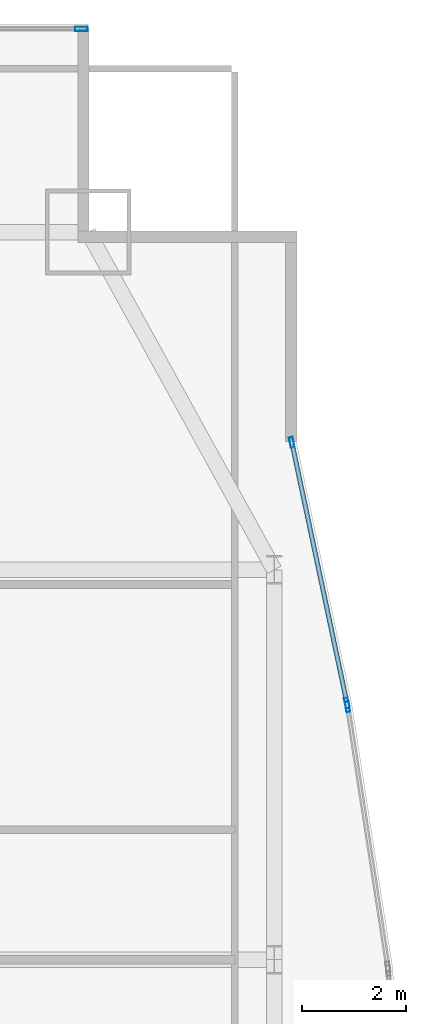
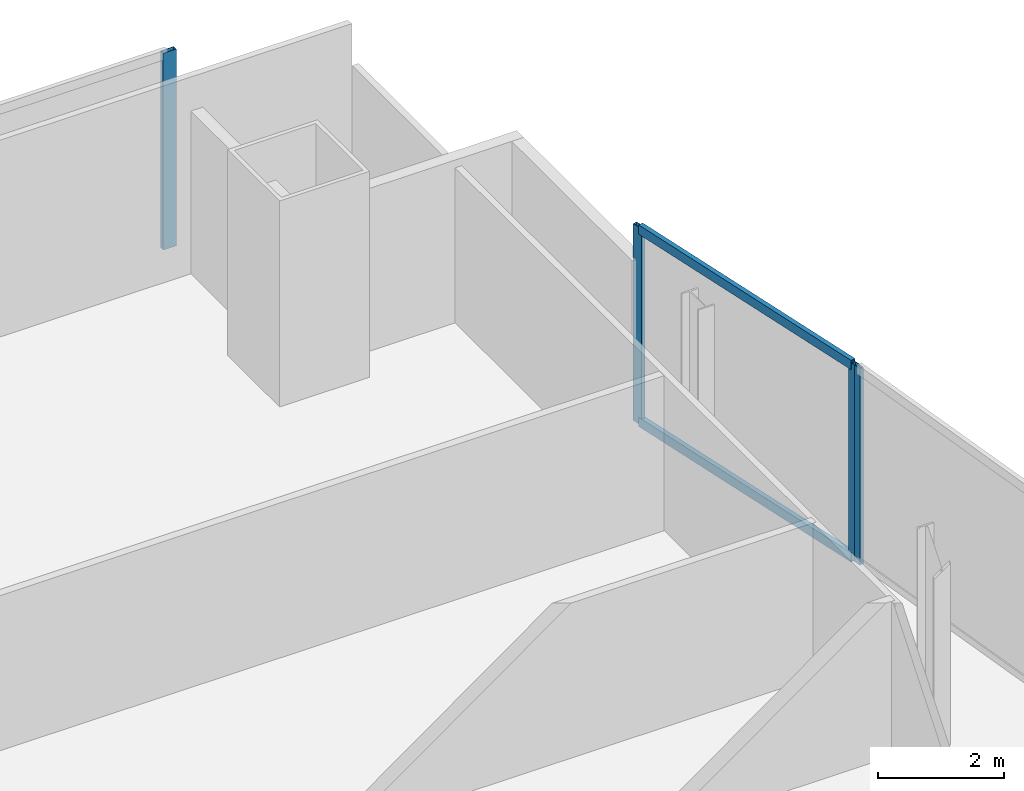
# One storey, part 26 of 35: 6 members, 3 elements without a shape of their own.
"""IFC4 building model written with IfcOpenShell, lengths in metres."""

from ifc_helpers import new_model, si_unit, direction, frame, origin, origin_2d, place, context, subcontext, project, spatial, hollow_rectangle, extrude, material, material_profile, profile_set, type_object, element, aggregate, save


model = new_model("IFC4")

# Units and contexts
model_context = context("Model", 3, precision=1e-05, world=origin(), true_north=direction((0.0, 1.0)))
body_context = subcontext(model_context, "Body", "Model", "MODEL_VIEW")
ifc_project = project(units=[si_unit("LENGTHUNIT", "METRE"), si_unit("AREAUNIT", "SQUARE_METRE"), si_unit("VOLUMEUNIT", "CUBIC_METRE"), si_unit("PLANEANGLEUNIT", "RADIAN"), si_unit("MASSUNIT", "GRAM", prefix="KILO")], contexts=[model_context])

# Site, building, storey
site_placement = place(None, origin())
site = spatial("IfcSite", under=ifc_project, at=site_placement, CompositionType="ELEMENT")
building_placement = place(site_placement, origin())
building = spatial("IfcBuilding", under=site, at=building_placement, Name="Khoronbel Lancet Exchange", CompositionType="ELEMENT")
storey_placement = place(building_placement, frame((0.0, 0.0, 53.800048828125)))
storey = spatial("IfcBuildingStorey", under=building, at=storey_placement, Name="L12", CompositionType="ELEMENT", Elevation=53.800048828125)

# Curtain wall, member
ifc_material_1 = material(Name="Low-E Solar Control Insulating Glass", Category="glass")
curtain_wall_type_1 = type_object("IfcCurtainWallType", Name="CW-1", PredefinedType="NOTDEFINED", material=ifc_material_1)
curtain_wall_1_placement = place(storey_placement, origin())
curtain_wall_1 = element("IfcCurtainWall", 1, at=curtain_wall_1_placement, inside=storey, type_object=curtain_wall_type_1, Name="Unitised curtain wall CW-L12-NEFLK", PredefinedType="NOTDEFINED")
ifc_material_2 = material(Name="Bronze-Anodised Aluminium 6063-T6", Category="aluminium")
ifc_material_profile_1 = material_profile(ifc_material_2, hollow_rectangle(XDim=0.0849609375, YDim=0.239990234375, WallThickness=0.006103515625, at=origin_2d()), Name="ALU MULLION 85x240")
ifc_profile_set_1 = profile_set([ifc_material_profile_1], Name="Bronze-Anodised Aluminium 6063-T6")
member_type_1 = type_object("IfcMemberType", Name="MEM-CWM1", PredefinedType="MULLION", material=ifc_profile_set_1)
member_1_placement = place(storey_placement, frame((67.91748046875, 53.610107421875, 0.0), z_axis=(0.0, 0.0, 1.0), x_axis=(0.0, -1.0, 0.0)))
member_1 = element("IfcMember", 2, at=member_1_placement, type_object=member_type_1, Name="CW1 mullion 1", PredefinedType="MULLION", context=body_context, shape_type="SweptSolid", body=[
    extrude(hollow_rectangle(XDim=0.0849609375, YDim=0.239990234375, WallThickness=0.006103515625, at=origin_2d()), origin(), (0.0, 0.0, 1.0), 3.820068359375),
])
aggregate(curtain_wall_1, [member_1])

# Curtain wall, members
curtain_wall_type_2 = type_object("IfcCurtainWallType", Name="CW-4", PredefinedType="NOTDEFINED", material=ifc_material_1)
curtain_wall_2_placement = place(storey_placement, origin())
curtain_wall_2 = element("IfcCurtainWall", 3, at=curtain_wall_2_placement, inside=storey, type_object=curtain_wall_type_2, Name="Unitised curtain wall CW-L12-E17", PredefinedType="NOTDEFINED")
ifc_material_profile_2 = material_profile(ifc_material_2, hollow_rectangle(XDim=0.074951171875, YDim=0.199951171875, WallThickness=0.0048828125, at=origin_2d()), Name="ALU MULLION 75x200")
ifc_profile_set_2 = profile_set([ifc_material_profile_2], Name="Bronze-Anodised Aluminium 6063-T6")
member_type_2 = type_object("IfcMemberType", Name="MEM-CWM2", PredefinedType="MULLION", material=ifc_profile_set_2)
member_2_placement = place(storey_placement, frame((71.9677734375, 45.65380859375, 0.0), z_axis=(0.0, 0.0, 1.0), x_axis=(0.978363397148, 0.206893845051, 0.0)))
member_2 = element("IfcMember", 4, at=member_2_placement, type_object=member_type_2, Name="CW4 mullion 1", PredefinedType="MULLION", context=body_context, shape_type="SweptSolid", body=[
    extrude(hollow_rectangle(XDim=0.074951171875, YDim=0.199951171875, WallThickness=0.0048828125, at=origin_2d()), origin(), (0.0, 0.0, 1.0), 3.820068359375),
])
member_3_placement = place(storey_placement, frame((73.028564453125, 40.63720703125, 0.0), z_axis=(0.0, 0.0, 1.0), x_axis=(0.978363397148, 0.206893845051, 0.0)))
member_3 = element("IfcMember", 5, at=member_3_placement, type_object=member_type_2, Name="CW4 mullion 2", PredefinedType="MULLION", context=body_context, shape_type="SweptSolid", body=[
    extrude(hollow_rectangle(XDim=0.074951171875, YDim=0.199951171875, WallThickness=0.0048828125, at=origin_2d()), origin(), (0.0, 0.0, 1.0), 3.820068359375),
])

# Curtain wall, member
curtain_wall_3_placement = place(storey_placement, origin())
curtain_wall_3 = element("IfcCurtainWall", 6, at=curtain_wall_3_placement, inside=storey, type_object=curtain_wall_type_2, Name="Unitised curtain wall CW-L12-E18", PredefinedType="NOTDEFINED")
member_4_placement = place(storey_placement, frame((73.042236328125, 40.5634765625, 0.0), z_axis=(0.0, 0.0, 1.0), x_axis=(0.988225870473, 0.153002055303, 0.0)))
member_4 = element("IfcMember", 7, at=member_4_placement, type_object=member_type_2, Name="CW4 mullion 1", PredefinedType="MULLION", context=body_context, shape_type="SweptSolid", body=[
    extrude(hollow_rectangle(XDim=0.074951171875, YDim=0.199951171875, WallThickness=0.0048828125, at=origin_2d()), origin(), (0.0, 0.0, 1.0), 3.820068359375),
])
aggregate(curtain_wall_3, [member_4])

# Member
ifc_material_profile_3 = material_profile(ifc_material_2, hollow_rectangle(XDim=0.0849609375, YDim=0.179931640625, WallThickness=0.0048828125, at=origin_2d()), Name="ALU TRANSOM 85x180")
ifc_profile_set_3 = profile_set([ifc_material_profile_3], Name="Bronze-Anodised Aluminium 6063-T6")
member_type_3 = type_object("IfcMemberType", Name="MEM-CWT1", PredefinedType="USERDEFINED", material=ifc_profile_set_3)
member_5_placement = place(storey_placement, frame((71.9755859375, 45.6171875, 0.04248046875), z_axis=(0.206901668426, -0.978361742712, 0.0), x_axis=(0.978361742712, 0.206901668426, 0.0)))
member_5 = element("IfcMember", 8, at=member_5_placement, type_object=member_type_3, Name="CW4 transom 1.1", ObjectType="TRANSOM", PredefinedType="USERDEFINED", context=body_context, shape_type="SweptSolid", body=[
    extrude(hollow_rectangle(XDim=0.0849609375, YDim=0.179931640625, WallThickness=0.0048828125, at=origin_2d()), origin(), (0.0, 0.0, 1.0), 5.052734375),
])

member_6_placement = place(storey_placement, frame((71.9755859375, 45.6171875, 3.77734375), z_axis=(0.206901668426, -0.978361742712, 0.0), x_axis=(0.978361742712, 0.206901668426, 0.0)))
member_6 = element("IfcMember", 9, at=member_6_placement, type_object=member_type_3, Name="CW4 transom 1.2", ObjectType="TRANSOM", PredefinedType="USERDEFINED", context=body_context, shape_type="SweptSolid", body=[
    extrude(hollow_rectangle(XDim=0.0849609375, YDim=0.179931640625, WallThickness=0.0048828125, at=origin_2d()), origin(), (0.0, 0.0, 1.0), 5.052734375),
])

aggregate(curtain_wall_2, [member_2, member_3, member_5, member_6])

save(model, "model.ifc")
